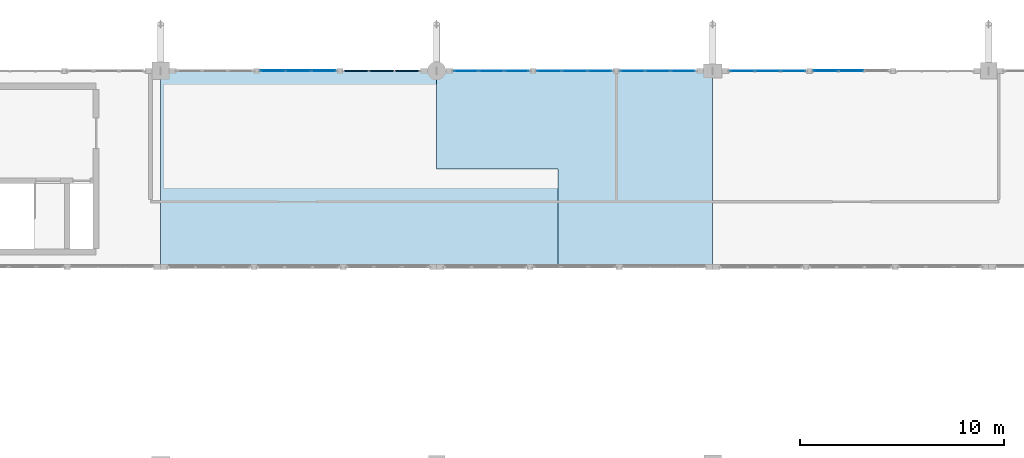
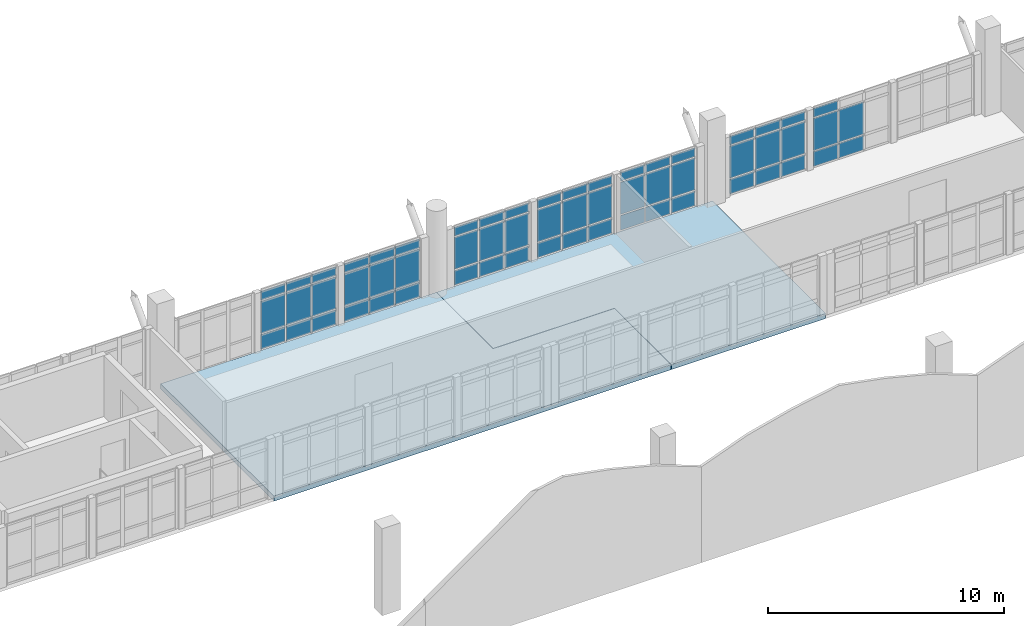
# One storey, part 28 of 37: 59 plates, 2 slabs, 7 elements without a shape of their own.
"""IFC4 building model written with IfcOpenShell, lengths in metres."""

from ifc_helpers import new_model, si_unit, direction, frame, origin, origin_2d, place, context, subcontext, project, spatial, polyline, rectangle, outline, extrude, material, layer, layer_set, type_object, element, aggregate, save


model = new_model("IFC4")

# Units and contexts
model_context = context("Model", 3, precision=1e-05, world=origin(), true_north=direction((0.0, 1.0)))
body_context = subcontext(model_context, "Body", "Model", "MODEL_VIEW")
ifc_project = project(units=[si_unit("LENGTHUNIT", "METRE"), si_unit("AREAUNIT", "SQUARE_METRE"), si_unit("VOLUMEUNIT", "CUBIC_METRE"), si_unit("PLANEANGLEUNIT", "RADIAN"), si_unit("MASSUNIT", "GRAM", prefix="KILO")], contexts=[model_context])

# Site, building, storey
site_placement = place(None, origin())
site = spatial("IfcSite", under=ifc_project, at=site_placement, CompositionType="ELEMENT")
building_placement = place(site_placement, origin())
building = spatial("IfcBuilding", under=site, at=building_placement, Name="Fikremerkos Civic Library", CompositionType="ELEMENT")
storey_placement = place(building_placement, frame((0.0, 0.0, 23.39990234375)))
storey = spatial("IfcBuildingStorey", under=building, at=storey_placement, Name="L05", CompositionType="ELEMENT", Elevation=23.39990234375)

# Curtain wall, plates
ifc_material_1 = material(Name="Anodized aluminium Frame", Category="aluminium")
ifc_layer_1 = layer(ifc_material_1, 0.159912109375, Name="Anodized aluminium Frame")
ifc_layer_set_1 = layer_set([ifc_layer_1], Name="Anodized aluminium Frame")
curtain_wall_type_1 = type_object("IfcCurtainWallType", Name="Unitised curtain wall CW-17 4600x3600", PredefinedType="USERDEFINED", material=ifc_layer_set_1)
curtain_wall_1_placement = place(storey_placement, origin())
curtain_wall_1 = element("IfcCurtainWall", 1, at=curtain_wall_1_placement, inside=storey, type_object=curtain_wall_type_1, Name="Unitised curtain wall CW-17 L05 #269", ObjectType="UNITISED CURTAIN WALL", PredefinedType="USERDEFINED")
ifc_material_2 = material(Name="Solar control double glazing", Category="glass")
ifc_layer_2 = layer(ifc_material_2, 0.028076171875, Name="Solar control double glazing")
ifc_layer_set_2 = layer_set([ifc_layer_2], Name="Solar control double glazing")
plate_type_1 = type_object("IfcPlateType", Name="Curtain glazing panel CWP-01 28", PredefinedType="CURTAIN_PANEL", material=ifc_layer_set_2)
plate_1_placement = place(storey_placement, frame((74.642333984375, 31.199951171875, 0.070068359375), z_axis=(0.0, 0.0, 1.0), x_axis=(1.0, 0.0, 0.0)))
plate_1 = element("IfcPlate", 2, at=plate_1_placement, type_object=plate_type_1, Name="CW-17 panel 1.1", PredefinedType="CURTAIN_PANEL", context=body_context, shape_type="SweptSolid", body=[
    extrude(rectangle(XDim=1.158447265625, YDim=0.028076171875, at=origin_2d()), origin(), (0.0, 0.0, 1.0), 0.7451171875),
])
plate_2_placement = place(storey_placement, frame((74.642333984375, 31.199951171875, 0.88525390625), z_axis=(0.0, 0.0, 1.0), x_axis=(1.0, 0.0, 0.0)))
plate_2 = element("IfcPlate", 3, at=plate_2_placement, type_object=plate_type_1, Name="CW-17 panel 1.2", PredefinedType="CURTAIN_PANEL", context=body_context, shape_type="SweptSolid", body=[
    extrude(rectangle(XDim=1.158447265625, YDim=0.028076171875, at=origin_2d()), origin(), (0.0, 0.0, 1.0), 1.64990234375),
])
plate_3_placement = place(storey_placement, frame((74.642333984375, 31.199951171875, 2.60498046875), z_axis=(0.0, 0.0, 1.0), x_axis=(1.0, 0.0, 0.0)))
plate_3 = element("IfcPlate", 4, at=plate_3_placement, type_object=plate_type_1, Name="CW-17 panel 1.3", PredefinedType="CURTAIN_PANEL", context=body_context, shape_type="SweptSolid", body=[
    extrude(rectangle(XDim=1.158447265625, YDim=0.028076171875, at=origin_2d()), origin(), (0.0, 0.0, 1.0), 0.445068359375),
])
plate_4_placement = place(storey_placement, frame((75.882080078125, 31.199951171875, 0.070068359375), z_axis=(0.0, 0.0, 1.0), x_axis=(1.0, 0.0, 0.0)))
plate_4 = element("IfcPlate", 5, at=plate_4_placement, type_object=plate_type_1, Name="CW-17 panel 2.1", PredefinedType="CURTAIN_PANEL", context=body_context, shape_type="SweptSolid", body=[
    extrude(rectangle(XDim=1.19091796875, YDim=0.028076171875, at=origin_2d()), origin(), (0.0, 0.0, 1.0), 0.7451171875),
])
plate_5_placement = place(storey_placement, frame((75.882080078125, 31.199951171875, 0.88525390625), z_axis=(0.0, 0.0, 1.0), x_axis=(1.0, 0.0, 0.0)))
plate_5 = element("IfcPlate", 6, at=plate_5_placement, type_object=plate_type_1, Name="CW-17 panel 2.2", PredefinedType="CURTAIN_PANEL", context=body_context, shape_type="SweptSolid", body=[
    extrude(rectangle(XDim=1.19091796875, YDim=0.028076171875, at=origin_2d()), origin(), (0.0, 0.0, 1.0), 1.64990234375),
])
plate_6_placement = place(storey_placement, frame((75.882080078125, 31.199951171875, 2.60498046875), z_axis=(0.0, 0.0, 1.0), x_axis=(1.0, 0.0, 0.0)))
plate_6 = element("IfcPlate", 7, at=plate_6_placement, type_object=plate_type_1, Name="CW-17 panel 2.3", PredefinedType="CURTAIN_PANEL", context=body_context, shape_type="SweptSolid", body=[
    extrude(rectangle(XDim=1.19091796875, YDim=0.028076171875, at=origin_2d()), origin(), (0.0, 0.0, 1.0), 0.445068359375),
])
plate_7_placement = place(storey_placement, frame((77.121826171875, 31.199951171875, 0.070068359375), z_axis=(0.0, 0.0, 1.0), x_axis=(1.0, 0.0, 0.0)))
plate_7 = element("IfcPlate", 8, at=plate_7_placement, type_object=plate_type_1, Name="CW-17 panel 3.1", PredefinedType="CURTAIN_PANEL", context=body_context, shape_type="SweptSolid", body=[
    extrude(rectangle(XDim=1.158447265625, YDim=0.028076171875, at=origin_2d()), origin(), (0.0, 0.0, 1.0), 0.7451171875),
])
plate_8_placement = place(storey_placement, frame((77.121826171875, 31.199951171875, 0.88525390625), z_axis=(0.0, 0.0, 1.0), x_axis=(1.0, 0.0, 0.0)))
plate_8 = element("IfcPlate", 9, at=plate_8_placement, type_object=plate_type_1, Name="CW-17 panel 3.2", PredefinedType="CURTAIN_PANEL", context=body_context, shape_type="SweptSolid", body=[
    extrude(rectangle(XDim=1.158447265625, YDim=0.028076171875, at=origin_2d()), origin(), (0.0, 0.0, 1.0), 1.64990234375),
])
plate_9_placement = place(storey_placement, frame((77.121826171875, 31.199951171875, 2.60498046875), z_axis=(0.0, 0.0, 1.0), x_axis=(1.0, 0.0, 0.0)))
plate_9 = element("IfcPlate", 10, at=plate_9_placement, type_object=plate_type_1, Name="CW-17 panel 3.3", PredefinedType="CURTAIN_PANEL", context=body_context, shape_type="SweptSolid", body=[
    extrude(rectangle(XDim=1.158447265625, YDim=0.028076171875, at=origin_2d()), origin(), (0.0, 0.0, 1.0), 0.445068359375),
])
aggregate(curtain_wall_1, [plate_1, plate_2, plate_3, plate_4, plate_5, plate_6, plate_7, plate_8, plate_9])

ifc_layer_3 = layer(ifc_material_1, 0.159912109375, Name="Anodized aluminium Frame")
ifc_layer_set_3 = layer_set([ifc_layer_3], Name="Anodized aluminium Frame")
curtain_wall_type_2 = type_object("IfcCurtainWallType", Name="Unitised curtain wall CW-01 3600x3600", PredefinedType="USERDEFINED", material=ifc_layer_set_3)
curtain_wall_2_placement = place(storey_placement, origin())
curtain_wall_2 = element("IfcCurtainWall", 11, at=curtain_wall_2_placement, inside=storey, type_object=curtain_wall_type_2, Name="Unitised curtain wall CW-01 L05 #271", ObjectType="UNITISED CURTAIN WALL", PredefinedType="USERDEFINED")
plate_10_placement = place(storey_placement, frame((82.7783203125, 31.199951171875, 0.070068359375), z_axis=(0.0, 0.0, 1.0), x_axis=(1.0, 0.0, 0.0)))
plate_10 = element("IfcPlate", 12, at=plate_10_placement, type_object=plate_type_1, Name="CW-01 panel 1.1", PredefinedType="CURTAIN_PANEL", context=body_context, shape_type="SweptSolid", body=[
    extrude(rectangle(XDim=1.158447265625, YDim=0.028076171875, at=origin_2d()), origin(), (0.0, 0.0, 1.0), 0.7451171875),
])
plate_11_placement = place(storey_placement, frame((82.7783203125, 31.199951171875, 0.88525390625), z_axis=(0.0, 0.0, 1.0), x_axis=(1.0, 0.0, 0.0)))
plate_11 = element("IfcPlate", 13, at=plate_11_placement, type_object=plate_type_1, Name="CW-01 panel 1.2", PredefinedType="CURTAIN_PANEL", context=body_context, shape_type="SweptSolid", body=[
    extrude(rectangle(XDim=1.158447265625, YDim=0.028076171875, at=origin_2d()), origin(), (0.0, 0.0, 1.0), 1.64990234375),
])
plate_12_placement = place(storey_placement, frame((82.7783203125, 31.199951171875, 2.60498046875), z_axis=(0.0, 0.0, 1.0), x_axis=(1.0, 0.0, 0.0)))
plate_12 = element("IfcPlate", 14, at=plate_12_placement, type_object=plate_type_1, Name="CW-01 panel 1.3", PredefinedType="CURTAIN_PANEL", context=body_context, shape_type="SweptSolid", body=[
    extrude(rectangle(XDim=1.158447265625, YDim=0.028076171875, at=origin_2d()), origin(), (0.0, 0.0, 1.0), 0.445068359375),
])
plate_13_placement = place(storey_placement, frame((84.01806640625, 31.199951171875, 0.070068359375), z_axis=(0.0, 0.0, 1.0), x_axis=(1.0, 0.0, 0.0)))
plate_13 = element("IfcPlate", 15, at=plate_13_placement, type_object=plate_type_1, Name="CW-01 panel 2.1", PredefinedType="CURTAIN_PANEL", context=body_context, shape_type="SweptSolid", body=[
    extrude(rectangle(XDim=1.19091796875, YDim=0.028076171875, at=origin_2d()), origin(), (0.0, 0.0, 1.0), 0.7451171875),
])
plate_14_placement = place(storey_placement, frame((84.01806640625, 31.199951171875, 0.88525390625), z_axis=(0.0, 0.0, 1.0), x_axis=(1.0, 0.0, 0.0)))
plate_14 = element("IfcPlate", 16, at=plate_14_placement, type_object=plate_type_1, Name="CW-01 panel 2.2", PredefinedType="CURTAIN_PANEL", context=body_context, shape_type="SweptSolid", body=[
    extrude(rectangle(XDim=1.19091796875, YDim=0.028076171875, at=origin_2d()), origin(), (0.0, 0.0, 1.0), 1.64990234375),
])
plate_15_placement = place(storey_placement, frame((84.01806640625, 31.199951171875, 2.60498046875), z_axis=(0.0, 0.0, 1.0), x_axis=(1.0, 0.0, 0.0)))
plate_15 = element("IfcPlate", 17, at=plate_15_placement, type_object=plate_type_1, Name="CW-01 panel 2.3", PredefinedType="CURTAIN_PANEL", context=body_context, shape_type="SweptSolid", body=[
    extrude(rectangle(XDim=1.19091796875, YDim=0.028076171875, at=origin_2d()), origin(), (0.0, 0.0, 1.0), 0.445068359375),
])
plate_16_placement = place(storey_placement, frame((85.2578125, 31.199951171875, 0.070068359375), z_axis=(0.0, 0.0, 1.0), x_axis=(1.0, 0.0, 0.0)))
plate_16 = element("IfcPlate", 18, at=plate_16_placement, type_object=plate_type_1, Name="CW-01 panel 3.1", PredefinedType="CURTAIN_PANEL", context=body_context, shape_type="SweptSolid", body=[
    extrude(rectangle(XDim=1.158447265625, YDim=0.028076171875, at=origin_2d()), origin(), (0.0, 0.0, 1.0), 0.7451171875),
])
plate_17_placement = place(storey_placement, frame((85.2578125, 31.199951171875, 0.88525390625), z_axis=(0.0, 0.0, 1.0), x_axis=(1.0, 0.0, 0.0)))
plate_17 = element("IfcPlate", 19, at=plate_17_placement, type_object=plate_type_1, Name="CW-01 panel 3.2", PredefinedType="CURTAIN_PANEL", context=body_context, shape_type="SweptSolid", body=[
    extrude(rectangle(XDim=1.158447265625, YDim=0.028076171875, at=origin_2d()), origin(), (0.0, 0.0, 1.0), 1.64990234375),
])
plate_18_placement = place(storey_placement, frame((85.2578125, 31.199951171875, 2.60498046875), z_axis=(0.0, 0.0, 1.0), x_axis=(1.0, 0.0, 0.0)))
plate_18 = element("IfcPlate", 20, at=plate_18_placement, type_object=plate_type_1, Name="CW-01 panel 3.3", PredefinedType="CURTAIN_PANEL", context=body_context, shape_type="SweptSolid", body=[
    extrude(rectangle(XDim=1.158447265625, YDim=0.028076171875, at=origin_2d()), origin(), (0.0, 0.0, 1.0), 0.445068359375),
])
aggregate(curtain_wall_2, [plate_10, plate_11, plate_12, plate_13, plate_14, plate_15, plate_16, plate_17, plate_18])

ifc_layer_4 = layer(ifc_material_1, 0.159912109375, Name="Anodized aluminium Frame")
ifc_layer_set_4 = layer_set([ifc_layer_4], Name="Anodized aluminium Frame")
curtain_wall_type_3 = type_object("IfcCurtainWallType", Name="Unitised curtain wall CW-18 2700x3400", PredefinedType="USERDEFINED", material=ifc_layer_set_4)
curtain_wall_3_placement = place(storey_placement, origin())
curtain_wall_3 = element("IfcCurtainWall", 21, at=curtain_wall_3_placement, inside=storey, type_object=curtain_wall_type_3, Name="Unitised curtain wall CW-18 L05 #270", ObjectType="UNITISED CURTAIN WALL", PredefinedType="USERDEFINED")
ifc_layer_5 = layer(ifc_material_2, 0.035888671875, Name="Solar control double glazing")
ifc_layer_set_5 = layer_set([ifc_layer_5], Name="Solar control double glazing")
plate_type_2 = type_object("IfcPlateType", Name="Curtain glazing panel CWP-02 36", PredefinedType="CURTAIN_PANEL", material=ifc_layer_set_5)
plate_19_placement = place(storey_placement, frame((78.708984375, 31.199951171875, 0.070068359375), z_axis=(0.0, 0.0, 1.0), x_axis=(1.0, 0.0, 0.0)))
plate_19 = element("IfcPlate", 22, at=plate_19_placement, type_object=plate_type_2, Name="CW-18 panel 1.1", PredefinedType="CURTAIN_PANEL", context=body_context, shape_type="SweptSolid", body=[
    extrude(rectangle(XDim=1.166015625, YDim=0.035888671875, at=origin_2d()), origin(), (0.0, 0.0, 1.0), 0.7451171875),
])
plate_20_placement = place(storey_placement, frame((78.708984375, 31.199951171875, 0.88525390625), z_axis=(0.0, 0.0, 1.0), x_axis=(1.0, 0.0, 0.0)))
plate_20 = element("IfcPlate", 23, at=plate_20_placement, type_object=plate_type_2, Name="CW-18 panel 1.2", PredefinedType="CURTAIN_PANEL", context=body_context, shape_type="SweptSolid", body=[
    extrude(rectangle(XDim=1.166015625, YDim=0.035888671875, at=origin_2d()), origin(), (0.0, 0.0, 1.0), 1.64990234375),
])
plate_21_placement = place(storey_placement, frame((78.708984375, 31.199951171875, 2.60498046875), z_axis=(0.0, 0.0, 1.0), x_axis=(1.0, 0.0, 0.0)))
plate_21 = element("IfcPlate", 24, at=plate_21_placement, type_object=plate_type_2, Name="CW-18 panel 1.3", PredefinedType="CURTAIN_PANEL", context=body_context, shape_type="SweptSolid", body=[
    extrude(rectangle(XDim=1.166015625, YDim=0.035888671875, at=origin_2d()), origin(), (0.0, 0.0, 1.0), 0.445068359375),
])
plate_22_placement = place(storey_placement, frame((79.949951171875, 31.199951171875, 0.070068359375), z_axis=(0.0, 0.0, 1.0), x_axis=(1.0, 0.0, 0.0)))
plate_22 = element("IfcPlate", 25, at=plate_22_placement, type_object=plate_type_2, Name="CW-18 panel 2.1", PredefinedType="CURTAIN_PANEL", context=body_context, shape_type="SweptSolid", body=[
    extrude(rectangle(XDim=1.196044921875, YDim=0.035888671875, at=origin_2d()), origin(), (0.0, 0.0, 1.0), 0.7451171875),
])
plate_23_placement = place(storey_placement, frame((79.949951171875, 31.199951171875, 0.88525390625), z_axis=(0.0, 0.0, 1.0), x_axis=(1.0, 0.0, 0.0)))
plate_23 = element("IfcPlate", 26, at=plate_23_placement, type_object=plate_type_2, Name="CW-18 panel 2.2", PredefinedType="CURTAIN_PANEL", context=body_context, shape_type="SweptSolid", body=[
    extrude(rectangle(XDim=1.196044921875, YDim=0.035888671875, at=origin_2d()), origin(), (0.0, 0.0, 1.0), 1.64990234375),
])
plate_24_placement = place(storey_placement, frame((79.949951171875, 31.199951171875, 2.60498046875), z_axis=(0.0, 0.0, 1.0), x_axis=(1.0, 0.0, 0.0)))
plate_24 = element("IfcPlate", 27, at=plate_24_placement, type_object=plate_type_2, Name="CW-18 panel 2.3", PredefinedType="CURTAIN_PANEL", context=body_context, shape_type="SweptSolid", body=[
    extrude(rectangle(XDim=1.196044921875, YDim=0.035888671875, at=origin_2d()), origin(), (0.0, 0.0, 1.0), 0.445068359375),
])
plate_25_placement = place(storey_placement, frame((81.19091796875, 31.199951171875, 0.070068359375), z_axis=(0.0, 0.0, 1.0), x_axis=(1.0, 0.0, 0.0)))
plate_25 = element("IfcPlate", 28, at=plate_25_placement, type_object=plate_type_2, Name="CW-18 panel 3.1", PredefinedType="CURTAIN_PANEL", context=body_context, shape_type="SweptSolid", body=[
    extrude(rectangle(XDim=1.166015625, YDim=0.035888671875, at=origin_2d()), origin(), (0.0, 0.0, 1.0), 0.7451171875),
])
plate_26_placement = place(storey_placement, frame((81.19091796875, 31.199951171875, 0.88525390625), z_axis=(0.0, 0.0, 1.0), x_axis=(1.0, 0.0, 0.0)))
plate_26 = element("IfcPlate", 29, at=plate_26_placement, type_object=plate_type_2, Name="CW-18 panel 3.2", PredefinedType="CURTAIN_PANEL", context=body_context, shape_type="SweptSolid", body=[
    extrude(rectangle(XDim=1.166015625, YDim=0.035888671875, at=origin_2d()), origin(), (0.0, 0.0, 1.0), 1.64990234375),
])
plate_27_placement = place(storey_placement, frame((81.19091796875, 31.199951171875, 2.60498046875), z_axis=(0.0, 0.0, 1.0), x_axis=(1.0, 0.0, 0.0)))
plate_27 = element("IfcPlate", 30, at=plate_27_placement, type_object=plate_type_2, Name="CW-18 panel 3.3", PredefinedType="CURTAIN_PANEL", context=body_context, shape_type="SweptSolid", body=[
    extrude(rectangle(XDim=1.166015625, YDim=0.035888671875, at=origin_2d()), origin(), (0.0, 0.0, 1.0), 0.445068359375),
])
aggregate(curtain_wall_3, [plate_19, plate_20, plate_21, plate_22, plate_23, plate_24, plate_25, plate_26, plate_27])

ifc_layer_6 = layer(ifc_material_1, 0.159912109375, Name="Anodized aluminium Frame")
ifc_layer_set_6 = layer_set([ifc_layer_6], Name="Anodized aluminium Frame")
curtain_wall_type_4 = type_object("IfcCurtainWallType", Name="Unitised curtain wall CW-02 3900x3600", PredefinedType="USERDEFINED", material=ifc_layer_set_6)
curtain_wall_4_placement = place(storey_placement, origin())
curtain_wall_4 = element("IfcCurtainWall", 31, at=curtain_wall_4_placement, inside=storey, type_object=curtain_wall_type_4, Name="Unitised curtain wall CW-02 L05 #272", ObjectType="UNITISED CURTAIN WALL", PredefinedType="USERDEFINED")
plate_28_placement = place(storey_placement, frame((88.143798828125, 31.199951171875, 0.070068359375), z_axis=(0.0, 0.0, 1.0), x_axis=(1.0, 0.0, 0.0)))
plate_28 = element("IfcPlate", 32, at=plate_28_placement, type_object=plate_type_2, Name="CW-02 panel 1.1", PredefinedType="CURTAIN_PANEL", context=body_context, shape_type="SweptSolid", body=[
    extrude(rectangle(XDim=1.171630859375, YDim=0.035888671875, at=origin_2d()), origin(), (0.0, 0.0, 1.0), 0.7451171875),
])
plate_29_placement = place(storey_placement, frame((88.143798828125, 31.199951171875, 0.88525390625), z_axis=(0.0, 0.0, 1.0), x_axis=(1.0, 0.0, 0.0)))
plate_29 = element("IfcPlate", 33, at=plate_29_placement, type_object=plate_type_2, Name="CW-02 panel 1.2", PredefinedType="CURTAIN_PANEL", context=body_context, shape_type="SweptSolid", body=[
    extrude(rectangle(XDim=1.171630859375, YDim=0.035888671875, at=origin_2d()), origin(), (0.0, 0.0, 1.0), 1.64990234375),
])
plate_30_placement = place(storey_placement, frame((88.143798828125, 31.199951171875, 2.60498046875), z_axis=(0.0, 0.0, 1.0), x_axis=(1.0, 0.0, 0.0)))
plate_30 = element("IfcPlate", 34, at=plate_30_placement, type_object=plate_type_2, Name="CW-02 panel 1.3", PredefinedType="CURTAIN_PANEL", context=body_context, shape_type="SweptSolid", body=[
    extrude(rectangle(XDim=1.171630859375, YDim=0.035888671875, at=origin_2d()), origin(), (0.0, 0.0, 1.0), 0.445068359375),
])
plate_31_placement = place(storey_placement, frame((89.390380859375, 31.199951171875, 0.070068359375), z_axis=(0.0, 0.0, 1.0), x_axis=(1.0, 0.0, 0.0)))
plate_31 = element("IfcPlate", 35, at=plate_31_placement, type_object=plate_type_2, Name="CW-02 panel 2.1", PredefinedType="CURTAIN_PANEL", context=body_context, shape_type="SweptSolid", body=[
    extrude(rectangle(XDim=1.20166015625, YDim=0.035888671875, at=origin_2d()), origin(), (0.0, 0.0, 1.0), 0.7451171875),
])
plate_32_placement = place(storey_placement, frame((89.390380859375, 31.199951171875, 0.88525390625), z_axis=(0.0, 0.0, 1.0), x_axis=(1.0, 0.0, 0.0)))
plate_32 = element("IfcPlate", 36, at=plate_32_placement, type_object=plate_type_2, Name="CW-02 panel 2.2", PredefinedType="CURTAIN_PANEL", context=body_context, shape_type="SweptSolid", body=[
    extrude(rectangle(XDim=1.20166015625, YDim=0.035888671875, at=origin_2d()), origin(), (0.0, 0.0, 1.0), 1.64990234375),
])
plate_33_placement = place(storey_placement, frame((89.390380859375, 31.199951171875, 2.60498046875), z_axis=(0.0, 0.0, 1.0), x_axis=(1.0, 0.0, 0.0)))
plate_33 = element("IfcPlate", 37, at=plate_33_placement, type_object=plate_type_2, Name="CW-02 panel 2.3", PredefinedType="CURTAIN_PANEL", context=body_context, shape_type="SweptSolid", body=[
    extrude(rectangle(XDim=1.20166015625, YDim=0.035888671875, at=origin_2d()), origin(), (0.0, 0.0, 1.0), 0.445068359375),
])
plate_34_placement = place(storey_placement, frame((90.636962890625, 31.199951171875, 0.070068359375), z_axis=(0.0, 0.0, 1.0), x_axis=(1.0, 0.0, 0.0)))
plate_34 = element("IfcPlate", 38, at=plate_34_placement, type_object=plate_type_2, Name="CW-02 panel 3.1", PredefinedType="CURTAIN_PANEL", context=body_context, shape_type="SweptSolid", body=[
    extrude(rectangle(XDim=1.171630859375, YDim=0.035888671875, at=origin_2d()), origin(), (0.0, 0.0, 1.0), 0.7451171875),
])
plate_35_placement = place(storey_placement, frame((90.636962890625, 31.199951171875, 0.88525390625), z_axis=(0.0, 0.0, 1.0), x_axis=(1.0, 0.0, 0.0)))
plate_35 = element("IfcPlate", 39, at=plate_35_placement, type_object=plate_type_2, Name="CW-02 panel 3.2", PredefinedType="CURTAIN_PANEL", context=body_context, shape_type="SweptSolid", body=[
    extrude(rectangle(XDim=1.171630859375, YDim=0.035888671875, at=origin_2d()), origin(), (0.0, 0.0, 1.0), 1.64990234375),
])
plate_36_placement = place(storey_placement, frame((90.636962890625, 31.199951171875, 2.60498046875), z_axis=(0.0, 0.0, 1.0), x_axis=(1.0, 0.0, 0.0)))
plate_36 = element("IfcPlate", 40, at=plate_36_placement, type_object=plate_type_2, Name="CW-02 panel 3.3", PredefinedType="CURTAIN_PANEL", context=body_context, shape_type="SweptSolid", body=[
    extrude(rectangle(XDim=1.171630859375, YDim=0.035888671875, at=origin_2d()), origin(), (0.0, 0.0, 1.0), 0.445068359375),
])
aggregate(curtain_wall_4, [plate_28, plate_29, plate_30, plate_31, plate_32, plate_33, plate_34, plate_35, plate_36])

ifc_layer_7 = layer(ifc_material_1, 0.159912109375, Name="Anodized aluminium Frame")
ifc_layer_set_7 = layer_set([ifc_layer_7], Name="Anodized aluminium Frame")
curtain_wall_type_5 = type_object("IfcCurtainWallType", Name="Unitised curtain wall CW-15 2900x3600", PredefinedType="USERDEFINED", material=ifc_layer_set_7)
curtain_wall_5_placement = place(storey_placement, origin())
curtain_wall_5 = element("IfcCurtainWall", 41, at=curtain_wall_5_placement, inside=storey, type_object=curtain_wall_type_5, Name="Unitised curtain wall CW-15 L05 #267", ObjectType="UNITISED CURTAIN WALL", PredefinedType="USERDEFINED")
ifc_material_3 = material(Name="Insulated aluminium spandrel", Category="aluminium")
ifc_layer_8 = layer(ifc_material_3, 0.044921875, Name="Insulated aluminium spandrel")
ifc_layer_set_8 = layer_set([ifc_layer_8], Name="Insulated aluminium spandrel")
plate_type_3 = type_object("IfcPlateType", Name="Curtain spandrel panel CSP-01 45", PredefinedType="CURTAIN_PANEL", material=ifc_layer_set_8)
plate_37_placement = place(storey_placement, frame((65.193603515625, 31.199951171875, 0.070068359375), z_axis=(0.0, 0.0, 1.0), x_axis=(1.0, 0.0, 0.0)))
plate_37 = element("IfcPlate", 42, at=plate_37_placement, type_object=plate_type_3, Name="CW-15 panel 1.1", PredefinedType="CURTAIN_PANEL", context=body_context, shape_type="SweptSolid", body=[
    extrude(rectangle(XDim=1.168701171875, YDim=0.044921875, at=origin_2d()), origin(), (0.0, 0.0, 1.0), 0.7451171875),
])
plate_38_placement = place(storey_placement, frame((65.193603515625, 31.199951171875, 0.88525390625), z_axis=(0.0, 0.0, 1.0), x_axis=(1.0, 0.0, 0.0)))
plate_38 = element("IfcPlate", 43, at=plate_38_placement, type_object=plate_type_3, Name="CW-15 panel 1.2", PredefinedType="CURTAIN_PANEL", context=body_context, shape_type="SweptSolid", body=[
    extrude(rectangle(XDim=1.168701171875, YDim=0.044921875, at=origin_2d()), origin(), (0.0, 0.0, 1.0), 1.64990234375),
])
plate_39_placement = place(storey_placement, frame((65.193603515625, 31.199951171875, 2.60498046875), z_axis=(0.0, 0.0, 1.0), x_axis=(1.0, 0.0, 0.0)))
plate_39 = element("IfcPlate", 44, at=plate_39_placement, type_object=plate_type_3, Name="CW-15 panel 1.3", PredefinedType="CURTAIN_PANEL", context=body_context, shape_type="SweptSolid", body=[
    extrude(rectangle(XDim=1.168701171875, YDim=0.044921875, at=origin_2d()), origin(), (0.0, 0.0, 1.0), 0.445068359375),
])
plate_40_placement = place(storey_placement, frame((66.4375, 31.199951171875, 0.070068359375), z_axis=(0.0, 0.0, 1.0), x_axis=(1.0, 0.0, 0.0)))
plate_40 = element("IfcPlate", 45, at=plate_40_placement, type_object=plate_type_3, Name="CW-15 panel 2.1", PredefinedType="CURTAIN_PANEL", context=body_context, shape_type="SweptSolid", body=[
    extrude(rectangle(XDim=1.19873046875, YDim=0.044921875, at=origin_2d()), origin(), (0.0, 0.0, 1.0), 0.7451171875),
])
plate_41_placement = place(storey_placement, frame((66.4375, 31.199951171875, 0.88525390625), z_axis=(0.0, 0.0, 1.0), x_axis=(1.0, 0.0, 0.0)))
plate_41 = element("IfcPlate", 46, at=plate_41_placement, type_object=plate_type_3, Name="CW-15 panel 2.2", PredefinedType="CURTAIN_PANEL", context=body_context, shape_type="SweptSolid", body=[
    extrude(rectangle(XDim=1.19873046875, YDim=0.044921875, at=origin_2d()), origin(), (0.0, 0.0, 1.0), 1.64990234375),
])
plate_42_placement = place(storey_placement, frame((66.4375, 31.199951171875, 2.60498046875), z_axis=(0.0, 0.0, 1.0), x_axis=(1.0, 0.0, 0.0)))
plate_42 = element("IfcPlate", 47, at=plate_42_placement, type_object=plate_type_3, Name="CW-15 panel 2.3", PredefinedType="CURTAIN_PANEL", context=body_context, shape_type="SweptSolid", body=[
    extrude(rectangle(XDim=1.19873046875, YDim=0.044921875, at=origin_2d()), origin(), (0.0, 0.0, 1.0), 0.445068359375),
])
plate_43_placement = place(storey_placement, frame((67.681396484375, 31.199951171875, 0.070068359375), z_axis=(0.0, 0.0, 1.0), x_axis=(1.0, 0.0, 0.0)))
plate_43 = element("IfcPlate", 48, at=plate_43_placement, type_object=plate_type_3, Name="CW-15 panel 3.1", PredefinedType="CURTAIN_PANEL", context=body_context, shape_type="SweptSolid", body=[
    extrude(rectangle(XDim=1.168701171875, YDim=0.044921875, at=origin_2d()), origin(), (0.0, 0.0, 1.0), 0.7451171875),
])
plate_44_placement = place(storey_placement, frame((67.681396484375, 31.199951171875, 0.88525390625), z_axis=(0.0, 0.0, 1.0), x_axis=(1.0, 0.0, 0.0)))
plate_44 = element("IfcPlate", 49, at=plate_44_placement, type_object=plate_type_3, Name="CW-15 panel 3.2", PredefinedType="CURTAIN_PANEL", context=body_context, shape_type="SweptSolid", body=[
    extrude(rectangle(XDim=1.168701171875, YDim=0.044921875, at=origin_2d()), origin(), (0.0, 0.0, 1.0), 1.64990234375),
])
plate_45_placement = place(storey_placement, frame((67.681396484375, 31.199951171875, 2.60498046875), z_axis=(0.0, 0.0, 1.0), x_axis=(1.0, 0.0, 0.0)))
plate_45 = element("IfcPlate", 50, at=plate_45_placement, type_object=plate_type_3, Name="CW-15 panel 3.3", PredefinedType="CURTAIN_PANEL", context=body_context, shape_type="SweptSolid", body=[
    extrude(rectangle(XDim=1.168701171875, YDim=0.044921875, at=origin_2d()), origin(), (0.0, 0.0, 1.0), 0.445068359375),
])
aggregate(curtain_wall_5, [plate_37, plate_38, plate_39, plate_40, plate_41, plate_42, plate_43, plate_44, plate_45])

ifc_layer_9 = layer(ifc_material_1, 0.159912109375, Name="Anodized aluminium Frame")
ifc_layer_set_9 = layer_set([ifc_layer_9], Name="Anodized aluminium Frame")
curtain_wall_type_6 = type_object("IfcCurtainWallType", Name="Unitised curtain wall CW-03 4100x3600", PredefinedType="USERDEFINED", material=ifc_layer_set_9)
curtain_wall_6_placement = place(storey_placement, origin())
curtain_wall_6 = element("IfcCurtainWall", 51, at=curtain_wall_6_placement, inside=storey, type_object=curtain_wall_type_6, Name="Unitised curtain wall CW-03 L05 #273", ObjectType="UNITISED CURTAIN WALL", PredefinedType="USERDEFINED")
plate_46_placement = place(storey_placement, frame((92.228515625, 31.199951171875, 0.065185546875), z_axis=(0.0, 0.0, 1.0), x_axis=(1.0, 0.0, 0.0)))
plate_46 = element("IfcPlate", 52, at=plate_46_placement, type_object=plate_type_3, Name="CW-03 panel 1.1", PredefinedType="CURTAIN_PANEL", context=body_context, shape_type="SweptSolid", body=[
    extrude(rectangle(XDim=1.171630859375, YDim=0.044921875, at=origin_2d()), origin(), (0.0, 0.0, 1.0), 0.75244140625),
])
plate_47_placement = place(storey_placement, frame((92.228515625, 31.199951171875, 0.8828125), z_axis=(0.0, 0.0, 1.0), x_axis=(1.0, 0.0, 0.0)))
plate_47 = element("IfcPlate", 53, at=plate_47_placement, type_object=plate_type_3, Name="CW-03 panel 1.2", PredefinedType="CURTAIN_PANEL", context=body_context, shape_type="SweptSolid", body=[
    extrude(rectangle(XDim=1.171630859375, YDim=0.044921875, at=origin_2d()), origin(), (0.0, 0.0, 1.0), 1.655029296875),
])
plate_48_placement = place(storey_placement, frame((92.228515625, 31.199951171875, 2.6025390625), z_axis=(0.0, 0.0, 1.0), x_axis=(1.0, 0.0, 0.0)))
plate_48 = element("IfcPlate", 54, at=plate_48_placement, type_object=plate_type_3, Name="CW-03 panel 1.3", PredefinedType="CURTAIN_PANEL", context=body_context, shape_type="SweptSolid", body=[
    extrude(rectangle(XDim=1.171630859375, YDim=0.044921875, at=origin_2d()), origin(), (0.0, 0.0, 1.0), 0.452392578125),
])
plate_49_placement = place(storey_placement, frame((93.47509765625, 31.199951171875, 0.065185546875), z_axis=(0.0, 0.0, 1.0), x_axis=(1.0, 0.0, 0.0)))
plate_49 = element("IfcPlate", 55, at=plate_49_placement, type_object=plate_type_3, Name="CW-03 panel 2.1", PredefinedType="CURTAIN_PANEL", context=body_context, shape_type="SweptSolid", body=[
    extrude(rectangle(XDim=1.20166015625, YDim=0.044921875, at=origin_2d()), origin(), (0.0, 0.0, 1.0), 0.75244140625),
])
plate_50_placement = place(storey_placement, frame((93.47509765625, 31.199951171875, 0.8828125), z_axis=(0.0, 0.0, 1.0), x_axis=(1.0, 0.0, 0.0)))
plate_50 = element("IfcPlate", 56, at=plate_50_placement, type_object=plate_type_3, Name="CW-03 panel 2.2", PredefinedType="CURTAIN_PANEL", context=body_context, shape_type="SweptSolid", body=[
    extrude(rectangle(XDim=1.20166015625, YDim=0.044921875, at=origin_2d()), origin(), (0.0, 0.0, 1.0), 1.655029296875),
])
aggregate(curtain_wall_6, [plate_46, plate_47, plate_48, plate_49, plate_50])

ifc_layer_10 = layer(ifc_material_1, 0.159912109375, Name="Anodized aluminium Frame")
ifc_layer_set_10 = layer_set([ifc_layer_10], Name="Anodized aluminium Frame")
curtain_wall_type_7 = type_object("IfcCurtainWallType", Name="Unitised curtain wall CW-16 3100x4100", PredefinedType="USERDEFINED", material=ifc_layer_set_10)
curtain_wall_7_placement = place(storey_placement, origin())
curtain_wall_7 = element("IfcCurtainWall", 57, at=curtain_wall_7_placement, inside=storey, type_object=curtain_wall_type_7, Name="Unitised curtain wall CW-16 L05 #268", ObjectType="UNITISED CURTAIN WALL", PredefinedType="USERDEFINED")
ifc_layer_11 = layer(ifc_material_3, 0.054931640625, Name="Insulated aluminium spandrel")
ifc_layer_set_11 = layer_set([ifc_layer_11], Name="Insulated aluminium spandrel")
plate_type_4 = type_object("IfcPlateType", Name="Curtain spandrel panel CSP-02 55", PredefinedType="CURTAIN_PANEL", material=ifc_layer_set_11)
plate_51_placement = place(storey_placement, frame((69.27001953125, 31.199951171875, 0.070068359375), z_axis=(0.0, 0.0, 1.0), x_axis=(1.0, 0.0, 0.0)))
plate_51 = element("IfcPlate", 58, at=plate_51_placement, type_object=plate_type_4, Name="CW-16 panel 1.1", PredefinedType="CURTAIN_PANEL", context=body_context, shape_type="SweptSolid", body=[
    extrude(rectangle(XDim=1.168701171875, YDim=0.054931640625, at=origin_2d()), origin(), (0.0, 0.0, 1.0), 0.7451171875),
])
plate_52_placement = place(storey_placement, frame((69.27001953125, 31.199951171875, 0.88525390625), z_axis=(0.0, 0.0, 1.0), x_axis=(1.0, 0.0, 0.0)))
plate_52 = element("IfcPlate", 59, at=plate_52_placement, type_object=plate_type_4, Name="CW-16 panel 1.2", PredefinedType="CURTAIN_PANEL", context=body_context, shape_type="SweptSolid", body=[
    extrude(rectangle(XDim=1.168701171875, YDim=0.054931640625, at=origin_2d()), origin(), (0.0, 0.0, 1.0), 1.64990234375),
])
plate_53_placement = place(storey_placement, frame((69.27001953125, 31.199951171875, 2.60498046875), z_axis=(0.0, 0.0, 1.0), x_axis=(1.0, 0.0, 0.0)))
plate_53 = element("IfcPlate", 60, at=plate_53_placement, type_object=plate_type_4, Name="CW-16 panel 1.3", PredefinedType="CURTAIN_PANEL", context=body_context, shape_type="SweptSolid", body=[
    extrude(rectangle(XDim=1.168701171875, YDim=0.054931640625, at=origin_2d()), origin(), (0.0, 0.0, 1.0), 0.445068359375),
])
plate_54_placement = place(storey_placement, frame((70.513916015625, 31.199951171875, 0.070068359375), z_axis=(0.0, 0.0, 1.0), x_axis=(1.0, 0.0, 0.0)))
plate_54 = element("IfcPlate", 61, at=plate_54_placement, type_object=plate_type_4, Name="CW-16 panel 2.1", PredefinedType="CURTAIN_PANEL", context=body_context, shape_type="SweptSolid", body=[
    extrude(rectangle(XDim=1.19873046875, YDim=0.054931640625, at=origin_2d()), origin(), (0.0, 0.0, 1.0), 0.7451171875),
])
plate_55_placement = place(storey_placement, frame((70.513916015625, 31.199951171875, 0.88525390625), z_axis=(0.0, 0.0, 1.0), x_axis=(1.0, 0.0, 0.0)))
plate_55 = element("IfcPlate", 62, at=plate_55_placement, type_object=plate_type_4, Name="CW-16 panel 2.2", PredefinedType="CURTAIN_PANEL", context=body_context, shape_type="SweptSolid", body=[
    extrude(rectangle(XDim=1.19873046875, YDim=0.054931640625, at=origin_2d()), origin(), (0.0, 0.0, 1.0), 1.64990234375),
])
plate_56_placement = place(storey_placement, frame((70.513916015625, 31.199951171875, 2.60498046875), z_axis=(0.0, 0.0, 1.0), x_axis=(1.0, 0.0, 0.0)))
plate_56 = element("IfcPlate", 63, at=plate_56_placement, type_object=plate_type_4, Name="CW-16 panel 2.3", PredefinedType="CURTAIN_PANEL", context=body_context, shape_type="SweptSolid", body=[
    extrude(rectangle(XDim=1.19873046875, YDim=0.054931640625, at=origin_2d()), origin(), (0.0, 0.0, 1.0), 0.445068359375),
])
plate_57_placement = place(storey_placement, frame((71.757568359375, 31.199951171875, 0.070068359375), z_axis=(0.0, 0.0, 1.0), x_axis=(1.0, 0.0, 0.0)))
plate_57 = element("IfcPlate", 64, at=plate_57_placement, type_object=plate_type_4, Name="CW-16 panel 3.1", PredefinedType="CURTAIN_PANEL", context=body_context, shape_type="SweptSolid", body=[
    extrude(rectangle(XDim=1.168701171875, YDim=0.054931640625, at=origin_2d()), origin(), (0.0, 0.0, 1.0), 0.7451171875),
])
plate_58_placement = place(storey_placement, frame((71.757568359375, 31.199951171875, 0.88525390625), z_axis=(0.0, 0.0, 1.0), x_axis=(1.0, 0.0, 0.0)))
plate_58 = element("IfcPlate", 65, at=plate_58_placement, type_object=plate_type_4, Name="CW-16 panel 3.2", PredefinedType="CURTAIN_PANEL", context=body_context, shape_type="SweptSolid", body=[
    extrude(rectangle(XDim=1.168701171875, YDim=0.054931640625, at=origin_2d()), origin(), (0.0, 0.0, 1.0), 1.64990234375),
])
plate_59_placement = place(storey_placement, frame((71.757568359375, 31.199951171875, 2.60498046875), z_axis=(0.0, 0.0, 1.0), x_axis=(1.0, 0.0, 0.0)))
plate_59 = element("IfcPlate", 66, at=plate_59_placement, type_object=plate_type_4, Name="CW-16 panel 3.3", PredefinedType="CURTAIN_PANEL", context=body_context, shape_type="SweptSolid", body=[
    extrude(rectangle(XDim=1.168701171875, YDim=0.054931640625, at=origin_2d()), origin(), (0.0, 0.0, 1.0), 0.445068359375),
])
aggregate(curtain_wall_7, [plate_51, plate_52, plate_53, plate_54, plate_55, plate_56, plate_57, plate_58, plate_59])

# Slabs
ifc_material_4 = material(Name="Concrete C40/50", Category="concrete")
ifc_layer_12 = layer(ifc_material_4, 0.260009765625, Name="Concrete C40/50")
ifc_layer_set_12 = layer_set([ifc_layer_12], Name="Concrete C40/50")
slab_type = type_object("IfcSlabType", Name="Suspended floor slab SFS-05 260", PredefinedType="FLOOR", material=ifc_layer_set_12)
slab_1_placement = place(storey_placement, frame((0.0, 0.0, -0.260009765625)))
element("IfcSlab", 67, at=slab_1_placement, inside=storey, type_object=slab_type, Name="Floor slab SFS-05 SLB-L05-V1-N-2L1", PredefinedType="FLOOR", context=body_context, shape_type="SweptSolid", body=[
    extrude(outline(polyline([(59.699951171875, 21.60009765625), (79.135986328125, 21.60009765625), (79.135986328125, 26.39599609375), (73.196044921875, 26.39599609375), (73.196044921875, 31.199951171875), (59.699951171875, 31.199951171875), (59.699951171875, 21.60009765625)])), origin(), (0.0, 0.0, 1.0), 0.260009765625),
])
slab_2_placement = place(storey_placement, frame((0.0, 0.0, -0.260009765625)))
element("IfcSlab", 68, at=slab_2_placement, inside=storey, type_object=slab_type, Name="Floor slab SFS-05 SLB-L05-V1-N-2L2", PredefinedType="FLOOR", context=body_context, shape_type="SweptSolid", body=[
    extrude(outline(polyline([(79.14404296875, 21.60009765625), (86.699951171875, 21.60009765625), (86.699951171875, 31.199951171875), (73.2041015625, 31.199951171875), (73.2041015625, 26.404052734375), (79.14404296875, 26.404052734375), (79.14404296875, 21.60009765625)])), origin(), (0.0, 0.0, 1.0), 0.260009765625),
])

save(model, "model.ifc")
